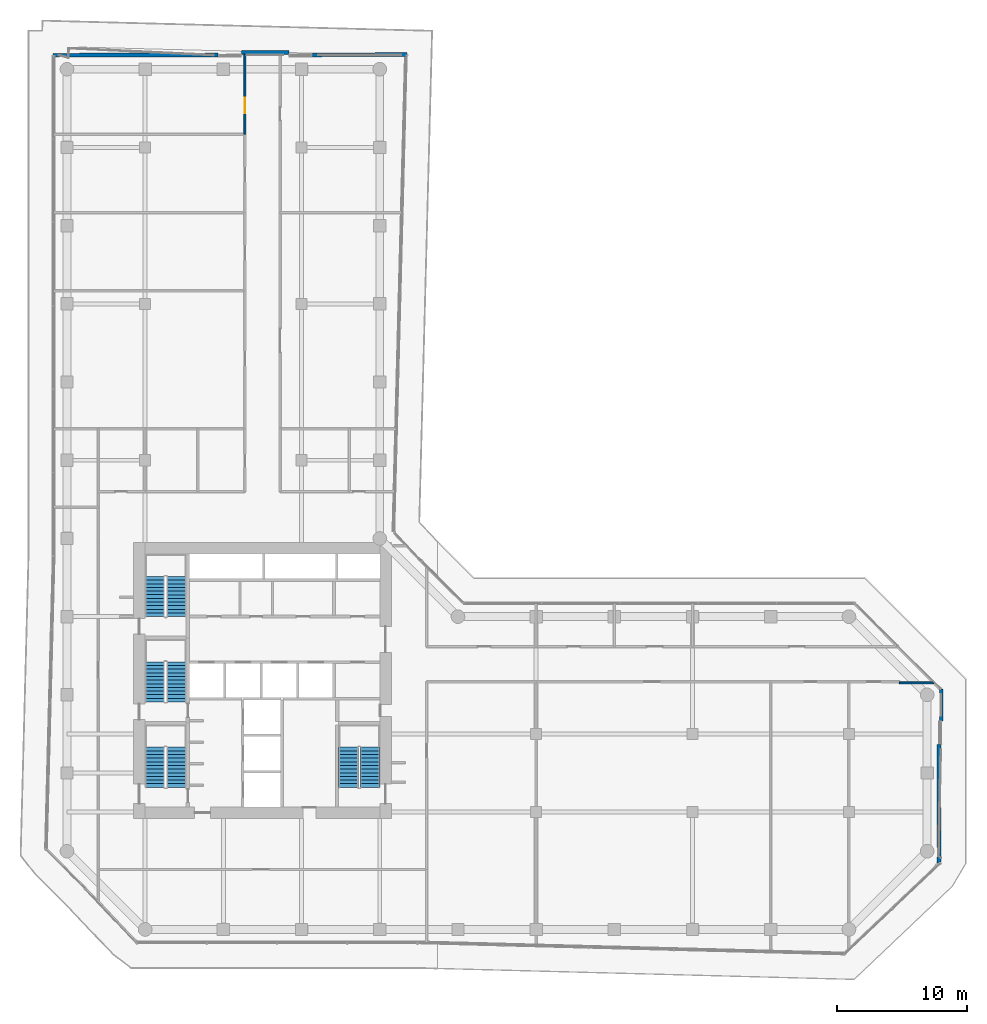
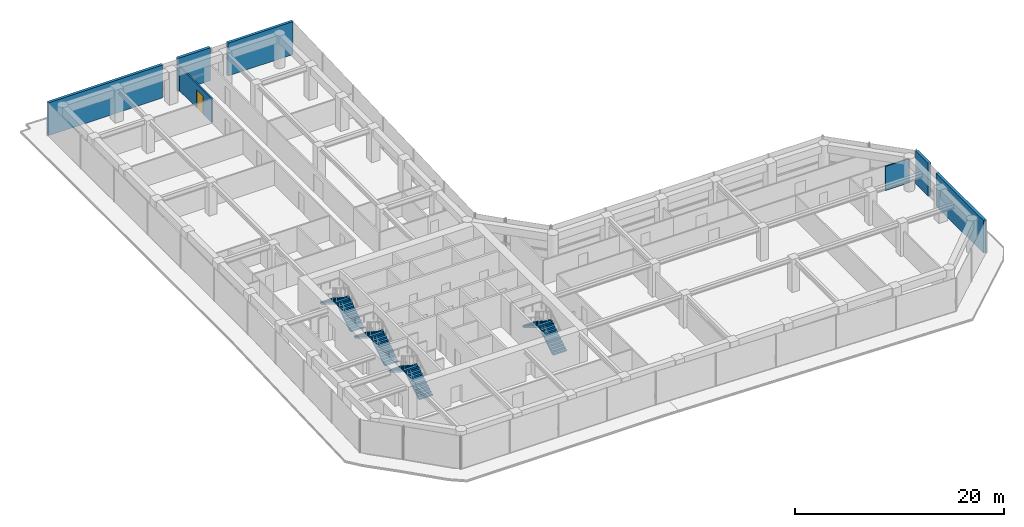
# One storey, part 26 of 28: 8 stair flights, 7 walls, 1 door, 1 opening, 4 elements without a shape of their own.
"""IFC4 building model written with IfcOpenShell, lengths in metres."""

import ifcopenshell
import ifcopenshell.guid

model = None  # the IFC model being written
_history = None  # IfcOwnerHistory: only IFC2X3 demands one
_inside = {}  # id of a spatial element -> (the spatial element, [elements in it])
_under = {}  # id of a project, library or spatial element -> (it, [spatial elements below it])
_declared = {}  # id of a project -> (the project, [libraries it declares])
_typed = {}  # id of a type object -> (the type object, [elements of that type])
_made_of = {}  # id of a material, layer set ... -> (it, [elements and type objects made of it])


def new_model(schema):
    """Start an empty IFC model of exactly this schema.

    Asked for "IFC4X3", IfcOpenShell would pick the latest addendum, in which some entities
    have other attributes; the version numbers below select the first issue.
    IFC2X3 requires an IfcOwnerHistory on every rooted entity: one is made here for all.
    """
    global model, _history
    if schema == "IFC4X3":
        model = ifcopenshell.file(schema_version=(4, 3, 0, 0))
    else:
        model = ifcopenshell.file(schema=schema)
    _inside.clear()
    _under.clear()
    _declared.clear()
    _typed.clear()
    _made_of.clear()
    _history = None
    if model.schema == "IFC2X3":
        org = make("IfcOrganization", Name="unknown")
        user = make(
            "IfcPersonAndOrganization",
            ThePerson=make("IfcPerson", FamilyName="unknown"),
            TheOrganization=org,
        )
        app = make(
            "IfcApplication",
            ApplicationDeveloper=org,
            Version="unknown",
            ApplicationFullName="unknown",
            ApplicationIdentifier="unknown",
        )
        _history = make(
            "IfcOwnerHistory",
            OwningUser=user,
            OwningApplication=app,
            ChangeAction="ADDED",
            CreationDate=0,
        )
    return model


def make(cls, **values):
    """One entity of the class cls with the attributes given. An attribute that is None is left unset."""
    return model.create_entity(
        cls, **{name: value for name, value in values.items() if value is not None}
    )


def rooted(cls, **values):
    """An entity with a GlobalId (a new one), such as an element, a storey or a relation."""
    return make(cls, GlobalId=ifcopenshell.guid.new(), OwnerHistory=_history, **values)


def si_unit(unit_type, name, prefix=None):
    """IfcSIUnit, for example si_unit("LENGTHUNIT", "METRE", prefix="MILLI")."""
    return make("IfcSIUnit", UnitType=unit_type, Prefix=prefix, Name=name)


def assignment(units):
    """IfcUnitAssignment: the units of a project."""
    return None if units is None else make("IfcUnitAssignment", Units=units)


def point(xyz):
    """IfcCartesianPoint."""
    return None if xyz is None else make("IfcCartesianPoint", Coordinates=xyz)


def direction(xyz):
    """IfcDirection."""
    return None if xyz is None else make("IfcDirection", DirectionRatios=xyz)


def frame(location, z_axis=None, x_axis=None):
    """IfcAxis2Placement3D, a coordinate frame: its origin and axes. An axis left out is left unset."""
    return make(
        "IfcAxis2Placement3D",
        Location=point(location),
        Axis=direction(z_axis),
        RefDirection=direction(x_axis),
    )


def frame_2d(location, x_axis=None):
    """IfcAxis2Placement2D, a coordinate frame in the plane: its origin and x axis."""
    return make(
        "IfcAxis2Placement2D", Location=point(location), RefDirection=direction(x_axis)
    )


def origin():
    """The frame at (0, 0, 0) with its axes left unset."""
    return frame((0.0, 0.0, 0.0))


def place(relative_to, where):
    """IfcLocalPlacement: puts the frame where relative to a parent placement (None: the world)."""
    return make(
        "IfcLocalPlacement", PlacementRelTo=relative_to, RelativePlacement=where
    )


def context(
    kind, dimensions, precision=None, world=None, true_north=None, identifier=None
):
    """IfcGeometricRepresentationContext, for example the 3D "Model" context."""
    return make(
        "IfcGeometricRepresentationContext",
        ContextIdentifier=identifier,
        ContextType=kind,
        CoordinateSpaceDimension=dimensions,
        Precision=precision,
        WorldCoordinateSystem=world,
        TrueNorth=true_north,
    )


def subcontext(parent, identifier, kind, view, scale=None):
    """IfcGeometricRepresentationSubContext, for example "Body" below "Model"."""
    return make(
        "IfcGeometricRepresentationSubContext",
        ContextIdentifier=identifier,
        ContextType=kind,
        ParentContext=parent,
        TargetScale=scale,
        TargetView=view,
    )


def project(units=None, contexts=None):
    """IfcProject with its units and contexts."""
    return rooted(
        "IfcProject",
        Name="project",
        RepresentationContexts=contexts,
        UnitsInContext=assignment(units),
    )


def spatial(cls, under=None, at=None, **own):
    """A site, building, storey or space (cls), placed at a placement, below another one or the project."""
    s = rooted(cls, ObjectPlacement=at, **own)
    if under is not None:
        _under.setdefault(under.id(), (under, []))[1].append(s)
    return s


def polyline(points):
    """IfcPolyline through the points."""
    return make("IfcPolyline", Points=[point(p) for p in points])


def profile(cls, at=None, kind="AREA", **sizes):
    """A parametric profile (cls). Its sizes go by their IFC names, for example OverallWidth=200.0."""
    return make(cls, ProfileType=kind, Position=at, **sizes)


def rectangle(**sizes):
    """IfcRectangleProfileDef."""
    return profile("IfcRectangleProfileDef", **sizes)


def outline(outer, holes=None, kind="AREA"):
    """IfcArbitraryClosedProfileDef: a profile drawn as a closed curve; with holes, ...WithVoids."""
    if holes is None:
        return make("IfcArbitraryClosedProfileDef", ProfileType=kind, OuterCurve=outer)
    return make(
        "IfcArbitraryProfileDefWithVoids",
        ProfileType=kind,
        OuterCurve=outer,
        InnerCurves=holes,
    )


def extrude(swept, where, along, depth):
    """IfcExtrudedAreaSolid: the profile swept, set in the frame where, extruded along a direction by depth."""
    return make(
        "IfcExtrudedAreaSolid",
        SweptArea=swept,
        Position=where,
        ExtrudedDirection=direction(along),
        Depth=depth,
    )


def shape(context_of_items, identifier, shape_type, items):
    """IfcShapeRepresentation: the items that make up one representation, for example the "Body"."""
    return make(
        "IfcShapeRepresentation",
        ContextOfItems=context_of_items,
        RepresentationIdentifier=identifier,
        RepresentationType=shape_type,
        Items=items,
    )


def material(Name=None, Category=None):
    """IfcMaterial."""
    return make("IfcMaterial", Name=Name, Category=Category)


def layer(
    of_material, thickness, ventilated=None, Name=None, Category=None, Priority=None
):
    """IfcMaterialLayer: one layer of a wall or slab, of a material (None: an air gap)."""
    return make(
        "IfcMaterialLayer",
        Material=of_material,
        LayerThickness=thickness,
        IsVentilated=ventilated,
        Name=Name,
        Category=Category,
        Priority=Priority,
    )


def layer_set(layers, Name=None):
    """IfcMaterialLayerSet."""
    return make("IfcMaterialLayerSet", MaterialLayers=layers, LayerSetName=Name)


def made_of(thing, what):
    """Note that an element or type object is made of a material, layer set ...; save() writes the relation."""
    if what is not None:
        _made_of.setdefault(what.id(), (what, []))[1].append(thing)
    return thing


def type_object(cls, material=None, **own):
    """A type object (cls), such as IfcWallType, which elements share."""
    return made_of(rooted(cls, **own), material)


def element(
    cls,
    number,
    at=None,
    inside=None,
    cuts=None,
    type_object=None,
    material=None,
    context=None,
    identifier="Body",
    shape_type=None,
    held_by="IfcProductDefinitionShape",
    body=None,
    shapes=None,
    **own,
):
    """One element of the class cls, such as IfcWall. Its Tag is "e" and its number.

    at: its placement. inside: the storey or other place that contains it. cuts: it is an
    opening in that element (IfcRelVoidsElement). A single representation is given by context,
    identifier, shape_type and body (its items); several are given by shapes. held_by: the class
    of the entity that holds the representations. save() writes the other relations.
    """
    e = rooted(cls, Tag="e%d" % number, ObjectPlacement=at, **own)
    if body is not None:
        shapes = [shape(context, identifier, shape_type, body)]
    if shapes is not None:
        e.Representation = make(held_by, Representations=shapes)
    if inside is not None:
        _inside.setdefault(inside.id(), (inside, []))[1].append(e)
    if cuts is not None:
        rooted(
            "IfcRelVoidsElement", RelatingBuildingElement=cuts, RelatedOpeningElement=e
        )
    if type_object is not None:
        _typed.setdefault(type_object.id(), (type_object, []))[1].append(e)
    return made_of(e, material)


def fill(opening, filler):
    """IfcRelFillsElement: the door or window that sits in an opening."""
    return rooted(
        "IfcRelFillsElement",
        RelatingOpeningElement=opening,
        RelatedBuildingElement=filler,
    )


def aggregate(whole, parts):
    """IfcRelAggregates: a whole, such as a stair, and the parts it consists of."""
    return rooted("IfcRelAggregates", RelatingObject=whole, RelatedObjects=parts)


def save(model, path):
    """Write the relations noted so far, then the file.

    IfcRelAggregates (storeys below a building ...), IfcRelContainedInSpatialStructure (elements
    in a storey), IfcRelDefinesByType, IfcRelAssociatesMaterial and IfcRelDeclares: one each for
    every whole, place, type object, material and project.
    """
    for whole, parts in _under.values():
        aggregate(whole, parts)
    for where, things in _inside.values():
        rooted(
            "IfcRelContainedInSpatialStructure",
            RelatedElements=things,
            RelatingStructure=where,
        )
    for kind, things in _typed.values():
        rooted("IfcRelDefinesByType", RelatedObjects=things, RelatingType=kind)
    for what, things in _made_of.values():
        rooted("IfcRelAssociatesMaterial", RelatedObjects=things, RelatingMaterial=what)
    for by, libraries in _declared.values():
        rooted("IfcRelDeclares", RelatingContext=by, RelatedDefinitions=libraries)
    model.write(path)


model = new_model("IFC4")

# Units and contexts
model_context = context("Model", 3, precision=1e-05, world=origin(), true_north=direction((0.0, 1.0)))
body_context = subcontext(model_context, "Body", "Model", "MODEL_VIEW")
ifc_project = project(units=[si_unit("LENGTHUNIT", "METRE"), si_unit("AREAUNIT", "SQUARE_METRE"), si_unit("VOLUMEUNIT", "CUBIC_METRE"), si_unit("PLANEANGLEUNIT", "RADIAN"), si_unit("MASSUNIT", "GRAM", prefix="KILO")], contexts=[model_context])

# Site, building, storey
site_placement = place(None, origin())
site = spatial("IfcSite", under=ifc_project, at=site_placement, CompositionType="ELEMENT")
building_placement = place(site_placement, origin())
building = spatial("IfcBuilding", under=site, at=building_placement, Name="Welwitschia Terrace Campus", CompositionType="ELEMENT")
storey_placement = place(building_placement, frame((0.0, 0.0, 45.800048828125)))
storey = spatial("IfcBuildingStorey", under=building, at=storey_placement, Name="L10", CompositionType="ELEMENT", Elevation=45.800048828125)

# Wall, opening, door
ifc_material_1 = material(Name="Gypsum board on steel studs", Category="steel")
ifc_layer_1 = layer(ifc_material_1, 0.14990234375)
ifc_layer_set_1 = layer_set([ifc_layer_1], Name="Gypsum board on steel studs")
wall_type_1 = type_object("IfcWallType", Name="Corridor partition 150 EI 30", PredefinedType="PARTITIONING", material=ifc_layer_set_1)
wall_1_placement = place(storey_placement, frame((13.64990234375, 57.0, 0.0), z_axis=(0.0, 0.0, 1.0), x_axis=(0.0, 1.0, 0.0)))
wall_1 = element("IfcWall", 1, at=wall_1_placement, inside=storey, type_object=wall_type_1, Name="Partition", PredefinedType="PARTITIONING", context=body_context, shape_type="SweptSolid", body=[
    extrude(rectangle(XDim=6.141357421875, YDim=0.14990234375, at=frame_2d((3.07080078125, 0.0))), origin(), (0.0, 0.0, 1.0), 2.829833984375),
])
opening_placement = place(wall_1_placement, frame((1.6298828125, 0.0, 0.0)))
opening = element("IfcOpeningElement", 2, at=opening_placement, cuts=wall_1, Name="Opening DI12", PredefinedType="OPENING", context=body_context, shape_type="SweptSolid", body=[
    extrude(rectangle(XDim=1.199951171875, YDim=2.10009765625, at=frame_2d((0.60009765625, 1.050048828125))), frame((0.0, 0.0849609375, 0.0), z_axis=(0.0, -1.0, 0.0), x_axis=(1.0, 0.0, 0.0)), (0.0, 0.0, 1.0), 0.169921875),
])
ifc_material_2 = material(Name="Timber veneered door", Category="wood")
door_type = type_object("IfcDoorType", Name="Interior door DI12", OperationType="NOTDEFINED", PredefinedType="DOOR", material=ifc_material_2)
door_placement = place(opening_placement, origin())
door = element("IfcDoor", 3, at=door_placement, inside=storey, type_object=door_type, Name="Door L10 235", OperationType="SINGLE_SWING_RIGHT", OverallHeight=2.10009765625, OverallWidth=1.199951171875, PredefinedType="DOOR", context=body_context, shape_type="SweptSolid", body=[
    extrude(rectangle(XDim=1.199951171875, YDim=2.10009765625, at=frame_2d((0.60009765625, 1.050048828125))), frame((0.0, 0.02490234375, 0.0), z_axis=(0.0, -1.0, 0.0), x_axis=(1.0, 0.0, 0.0)), (0.0, 0.0, 1.0), 0.050048828125),
])
fill(opening, door)

# Walls
wall_2_placement = place(storey_placement, frame((63.8701171875, 14.919921875, 0.0), z_axis=(0.0, 0.0, 1.0), x_axis=(1.0, 0.0, 0.0)))
element("IfcWall", 4, at=wall_2_placement, inside=storey, type_object=wall_type_1, Name="Partition", PredefinedType="PARTITIONING", context=body_context, shape_type="SweptSolid", body=[
    extrude(rectangle(XDim=2.621337890625, YDim=0.14990234375, at=frame_2d((1.310546875, 0.0))), origin(), (0.0, 0.0, 1.0), 2.829833984375),
])
ifc_material_3 = material(Name="Concrete C40/50", Category="concrete")
ifc_layer_2 = layer(ifc_material_3, 0.300048828125)
ifc_layer_set_2 = layer_set([ifc_layer_2], Name="Concrete C40/50")
wall_type_2 = type_object("IfcWallType", Name="Mass wall 300", PredefinedType="SOLIDWALL", material=ifc_layer_set_2)
wall_3_placement = place(storey_placement, frame((66.907958984375, 1.10546875, 0.0), z_axis=(0.0, 0.0, 1.0), x_axis=(0.0, 1.0, 0.0)))
element("IfcWall", 5, at=wall_3_placement, inside=storey, type_object=wall_type_2, Name="Mass wall L10.4.0", PredefinedType="SOLIDWALL", context=body_context, shape_type="SweptSolid", body=[
    extrude(rectangle(XDim=9.099609375, YDim=0.300048828125, at=frame_2d((4.5498046875, 0.0))), origin(), (0.0, 0.0, 1.0), 3.849853515625),
])
wall_4_placement = place(storey_placement, frame((67.078857421875, 12.0048828125, 0.0), z_axis=(0.0, 0.0, 1.0), x_axis=(0.0, 1.0, 0.0)))
element("IfcWall", 6, at=wall_4_placement, inside=storey, type_object=wall_type_2, Name="Mass wall L10.4.1", PredefinedType="SOLIDWALL", context=body_context, shape_type="SweptSolid", body=[
    extrude(rectangle(XDim=2.433349609375, YDim=0.300048828125, at=frame_2d((1.216796875, 0.0))), origin(), (0.0, 0.0, 1.0), 3.849853515625),
])
wall_5_placement = place(storey_placement, frame((26.07373046875, 63.11962890625, 0.0), z_axis=(0.0, 0.0, 1.0), x_axis=(-0.999998578418, -0.001686167636, 0.0)))
element("IfcWall", 7, at=wall_5_placement, inside=storey, type_object=wall_type_2, Name="Mass wall L10.10.0", PredefinedType="SOLIDWALL", context=body_context, shape_type="SweptSolid", body=[
    extrude(rectangle(XDim=7.239501953125, YDim=0.300048828125, at=frame_2d((3.61962890625, 0.0))), origin(), (0.0, 0.0, 1.0), 3.849853515625),
])
wall_6_placement = place(storey_placement, frame((17.03369140625, 63.297119140625, 0.0), z_axis=(0.0, 0.0, 1.0), x_axis=(-0.999998583486, -0.001683159267, 0.0)))
element("IfcWall", 8, at=wall_6_placement, inside=storey, type_object=wall_type_2, Name="Mass wall L10.10.1", PredefinedType="SOLIDWALL", context=body_context, shape_type="SweptSolid", body=[
    extrude(rectangle(XDim=3.626220703125, YDim=0.300048828125, at=frame_2d((1.81298828125, 0.0))), origin(), (0.0, 0.0, 1.0), 3.849853515625),
])
wall_7_placement = place(storey_placement, frame((11.60791015625, 63.09521484375, 0.0), z_axis=(0.0, 0.0, 1.0), x_axis=(-0.999998561418, -0.001696219611, 0.0)))
element("IfcWall", 9, at=wall_7_placement, inside=storey, type_object=wall_type_2, Name="Mass wall L10.10.2", PredefinedType="SOLIDWALL", context=body_context, shape_type="SweptSolid", body=[
    extrude(rectangle(XDim=12.666015625, YDim=0.300048828125, at=frame_2d((6.3330078125, 0.0))), origin(), (0.0, 0.0, 1.0), 3.849853515625),
])

# Stair, stair flights
ifc_material_4 = material(Name="Concrete C40/50", Category="concrete")
stair_type = type_object("IfcStairType", Name="Stair 24R 175 W1500", PredefinedType="HALF_TURN_STAIR", material=ifc_material_4)
stair_1_placement = place(storey_placement, origin())
stair_1 = element("IfcStair", 10, at=stair_1_placement, inside=storey, type_object=stair_type, Name="L10 Exit stair S1", PredefinedType="HALF_TURN_STAIR")
ifc_material_5 = material(Name="Concrete C40/50", Category="concrete")
stair_flight_type = type_object("IfcStairFlightType", Name="Stair flight 24R 175 W1500", PredefinedType="STRAIGHT", material=ifc_material_5)
stair_flight_1_placement = place(storey_placement, frame((8.39990234375, 6.89990234375, 0.0), z_axis=(0.0, 0.0, 1.0), x_axis=(0.0, 1.0, 0.0)))
stair_flight_1 = element("IfcStairFlight", 11, at=stair_flight_1_placement, type_object=stair_flight_type, Name="S1 flight 1", NumberOfRisers=12, NumberOfTreads=11, PredefinedType="STRAIGHT", RiserHeight=0.175, TreadLength=0.28, context=body_context, shape_type="SweptSolid", body=[
    extrude(outline(polyline([(0.0, 0.0), (0.0, 0.175048828125), (0.280029296875, 0.175048828125), (0.280029296875, 0.35009765625), (0.56005859375, 0.35009765625), (0.56005859375, 0.52490234375), (0.840087890625, 0.52490234375), (0.840087890625, 0.699951171875), (1.1201171875, 0.699951171875), (1.1201171875, 0.875), (1.39990234375, 0.875), (1.39990234375, 1.050048828125), (1.679931640625, 1.050048828125), (1.679931640625, 1.22509765625), (1.9599609375, 1.22509765625), (1.9599609375, 1.39990234375), (2.239990234375, 1.39990234375), (2.239990234375, 1.574951171875), (2.52001953125, 1.574951171875), (2.52001953125, 1.75), (2.800048828125, 1.75), (2.800048828125, 1.925048828125), (3.080078125, 1.925048828125), (3.080078125, 2.10009765625), (3.080078125, 1.748291015625), (0.28271484375, 0.0), (0.0, 0.0)])), frame((0.0, 0.75, 0.0), z_axis=(0.0, -1.0, 0.0), x_axis=(1.0, 0.0, 0.0)), (0.0, 0.0, 1.0), 1.5),
])
stair_flight_2_placement = place(storey_placement, frame((6.75, 9.97998046875, 2.099853515625), z_axis=(0.0, 0.0, 1.0), x_axis=(0.0, -1.0, 0.0)))
stair_flight_2 = element("IfcStairFlight", 12, at=stair_flight_2_placement, type_object=stair_flight_type, Name="S1 flight 2", NumberOfRisers=12, NumberOfTreads=11, PredefinedType="STRAIGHT", RiserHeight=0.175, TreadLength=0.28, context=body_context, shape_type="SweptSolid", body=[
    extrude(outline(polyline([(0.0, 0.0), (0.0, 0.175048828125), (0.280029296875, 0.175048828125), (0.280029296875, 0.35009765625), (0.56005859375, 0.35009765625), (0.56005859375, 0.52490234375), (0.840087890625, 0.52490234375), (0.840087890625, 0.699951171875), (1.1201171875, 0.699951171875), (1.1201171875, 0.875), (1.39990234375, 0.875), (1.39990234375, 1.050048828125), (1.679931640625, 1.050048828125), (1.679931640625, 1.22509765625), (1.9599609375, 1.22509765625), (1.9599609375, 1.39990234375), (2.239990234375, 1.39990234375), (2.239990234375, 1.574951171875), (2.52001953125, 1.574951171875), (2.52001953125, 1.75), (2.800048828125, 1.75), (2.800048828125, 1.925048828125), (3.080078125, 1.925048828125), (3.080078125, 2.10009765625), (3.080078125, 1.748291015625), (0.28271484375, 0.0), (0.0, 0.0)])), frame((0.0, 0.75, 0.0), z_axis=(0.0, -1.0, 0.0), x_axis=(1.0, 0.0, 0.0)), (0.0, 0.0, 1.0), 1.5),
])
aggregate(stair_1, [stair_flight_1, stair_flight_2])

stair_2_placement = place(storey_placement, origin())
stair_2 = element("IfcStair", 13, at=stair_2_placement, inside=storey, type_object=stair_type, Name="L10 Exit stair S3", PredefinedType="HALF_TURN_STAIR")
stair_flight_3_placement = place(storey_placement, frame((8.39990234375, 13.449951171875, 0.0), z_axis=(0.0, 0.0, 1.0), x_axis=(0.0, 1.0, 0.0)))
stair_flight_3 = element("IfcStairFlight", 14, at=stair_flight_3_placement, type_object=stair_flight_type, Name="S3 flight 1", NumberOfRisers=12, NumberOfTreads=11, PredefinedType="STRAIGHT", RiserHeight=0.175, TreadLength=0.28, context=body_context, shape_type="SweptSolid", body=[
    extrude(outline(polyline([(0.0, 0.0), (0.0, 0.175048828125), (0.280029296875, 0.175048828125), (0.280029296875, 0.35009765625), (0.56005859375, 0.35009765625), (0.56005859375, 0.52490234375), (0.840087890625, 0.52490234375), (0.840087890625, 0.699951171875), (1.1201171875, 0.699951171875), (1.1201171875, 0.875), (1.39990234375, 0.875), (1.39990234375, 1.050048828125), (1.679931640625, 1.050048828125), (1.679931640625, 1.22509765625), (1.9599609375, 1.22509765625), (1.9599609375, 1.39990234375), (2.239990234375, 1.39990234375), (2.239990234375, 1.574951171875), (2.52001953125, 1.574951171875), (2.52001953125, 1.75), (2.800048828125, 1.75), (2.800048828125, 1.925048828125), (3.080078125, 1.925048828125), (3.080078125, 2.10009765625), (3.080078125, 1.748291015625), (0.28271484375, 0.0), (0.0, 0.0)])), frame((0.0, 0.75, 0.0), z_axis=(0.0, -1.0, 0.0), x_axis=(1.0, 0.0, 0.0)), (0.0, 0.0, 1.0), 1.5),
])
stair_flight_4_placement = place(storey_placement, frame((6.75, 16.530029296875, 2.099853515625), z_axis=(0.0, 0.0, 1.0), x_axis=(0.0, -1.0, 0.0)))
stair_flight_4 = element("IfcStairFlight", 15, at=stair_flight_4_placement, type_object=stair_flight_type, Name="S3 flight 2", NumberOfRisers=12, NumberOfTreads=11, PredefinedType="STRAIGHT", RiserHeight=0.175, TreadLength=0.28, context=body_context, shape_type="SweptSolid", body=[
    extrude(outline(polyline([(0.0, 0.0), (0.0, 0.175048828125), (0.280029296875, 0.175048828125), (0.280029296875, 0.35009765625), (0.56005859375, 0.35009765625), (0.56005859375, 0.52490234375), (0.840087890625, 0.52490234375), (0.840087890625, 0.699951171875), (1.1201171875, 0.699951171875), (1.1201171875, 0.875), (1.39990234375, 0.875), (1.39990234375, 1.050048828125), (1.679931640625, 1.050048828125), (1.679931640625, 1.22509765625), (1.9599609375, 1.22509765625), (1.9599609375, 1.39990234375), (2.239990234375, 1.39990234375), (2.239990234375, 1.574951171875), (2.52001953125, 1.574951171875), (2.52001953125, 1.75), (2.800048828125, 1.75), (2.800048828125, 1.925048828125), (3.080078125, 1.925048828125), (3.080078125, 2.10009765625), (3.080078125, 1.748291015625), (0.28271484375, 0.0), (0.0, 0.0)])), frame((0.0, 0.75, 0.0), z_axis=(0.0, -1.0, 0.0), x_axis=(1.0, 0.0, 0.0)), (0.0, 0.0, 1.0), 1.5),
])
aggregate(stair_2, [stair_flight_3, stair_flight_4])

stair_3_placement = place(storey_placement, origin())
stair_3 = element("IfcStair", 16, at=stair_3_placement, inside=storey, type_object=stair_type, Name="L10 Exit stair S4", PredefinedType="HALF_TURN_STAIR")
stair_flight_5_placement = place(storey_placement, frame((8.39990234375, 20.0, 0.0), z_axis=(0.0, 0.0, 1.0), x_axis=(0.0, 1.0, 0.0)))
stair_flight_5 = element("IfcStairFlight", 17, at=stair_flight_5_placement, type_object=stair_flight_type, Name="S4 flight 1", NumberOfRisers=12, NumberOfTreads=11, PredefinedType="STRAIGHT", RiserHeight=0.175, TreadLength=0.28, context=body_context, shape_type="SweptSolid", body=[
    extrude(outline(polyline([(0.0, 0.0), (0.0, 0.175048828125), (0.280029296875, 0.175048828125), (0.280029296875, 0.35009765625), (0.56005859375, 0.35009765625), (0.56005859375, 0.52490234375), (0.840087890625, 0.52490234375), (0.840087890625, 0.699951171875), (1.1201171875, 0.699951171875), (1.1201171875, 0.875), (1.39990234375, 0.875), (1.39990234375, 1.050048828125), (1.679931640625, 1.050048828125), (1.679931640625, 1.22509765625), (1.9599609375, 1.22509765625), (1.9599609375, 1.39990234375), (2.239990234375, 1.39990234375), (2.239990234375, 1.574951171875), (2.52001953125, 1.574951171875), (2.52001953125, 1.75), (2.800048828125, 1.75), (2.800048828125, 1.925048828125), (3.080078125, 1.925048828125), (3.080078125, 2.10009765625), (3.080078125, 1.748291015625), (0.28271484375, 0.0), (0.0, 0.0)])), frame((0.0, 0.75, 0.0), z_axis=(0.0, -1.0, 0.0), x_axis=(1.0, 0.0, 0.0)), (0.0, 0.0, 1.0), 1.5),
])
stair_flight_6_placement = place(storey_placement, frame((6.75, 23.080078125, 2.099853515625), z_axis=(0.0, 0.0, 1.0), x_axis=(0.0, -1.0, 0.0)))
stair_flight_6 = element("IfcStairFlight", 18, at=stair_flight_6_placement, type_object=stair_flight_type, Name="S4 flight 2", NumberOfRisers=12, NumberOfTreads=11, PredefinedType="STRAIGHT", RiserHeight=0.175, TreadLength=0.28, context=body_context, shape_type="SweptSolid", body=[
    extrude(outline(polyline([(0.0, 0.0), (0.0, 0.175048828125), (0.280029296875, 0.175048828125), (0.280029296875, 0.35009765625), (0.56005859375, 0.35009765625), (0.56005859375, 0.52490234375), (0.840087890625, 0.52490234375), (0.840087890625, 0.699951171875), (1.1201171875, 0.699951171875), (1.1201171875, 0.875), (1.39990234375, 0.875), (1.39990234375, 1.050048828125), (1.679931640625, 1.050048828125), (1.679931640625, 1.22509765625), (1.9599609375, 1.22509765625), (1.9599609375, 1.39990234375), (2.239990234375, 1.39990234375), (2.239990234375, 1.574951171875), (2.52001953125, 1.574951171875), (2.52001953125, 1.75), (2.800048828125, 1.75), (2.800048828125, 1.925048828125), (3.080078125, 1.925048828125), (3.080078125, 2.10009765625), (3.080078125, 1.748291015625), (0.28271484375, 0.0), (0.0, 0.0)])), frame((0.0, 0.75, 0.0), z_axis=(0.0, -1.0, 0.0), x_axis=(1.0, 0.0, 0.0)), (0.0, 0.0, 1.0), 1.5),
])
aggregate(stair_3, [stair_flight_5, stair_flight_6])

stair_4_placement = place(storey_placement, origin())
stair_4 = element("IfcStair", 19, at=stair_4_placement, inside=storey, type_object=stair_type, Name="L10 Exit stair S2", PredefinedType="HALF_TURN_STAIR")
stair_flight_7_placement = place(storey_placement, frame((23.25, 6.89990234375, 0.0), z_axis=(0.0, 0.0, 1.0), x_axis=(0.0, 1.0, 0.0)))
stair_flight_7 = element("IfcStairFlight", 20, at=stair_flight_7_placement, type_object=stair_flight_type, Name="S2 flight 1", NumberOfRisers=12, NumberOfTreads=11, PredefinedType="STRAIGHT", RiserHeight=0.175, TreadLength=0.28, context=body_context, shape_type="SweptSolid", body=[
    extrude(outline(polyline([(0.0, 0.0), (0.0, 0.175048828125), (0.280029296875, 0.175048828125), (0.280029296875, 0.35009765625), (0.56005859375, 0.35009765625), (0.56005859375, 0.52490234375), (0.840087890625, 0.52490234375), (0.840087890625, 0.699951171875), (1.1201171875, 0.699951171875), (1.1201171875, 0.875), (1.39990234375, 0.875), (1.39990234375, 1.050048828125), (1.679931640625, 1.050048828125), (1.679931640625, 1.22509765625), (1.9599609375, 1.22509765625), (1.9599609375, 1.39990234375), (2.239990234375, 1.39990234375), (2.239990234375, 1.574951171875), (2.52001953125, 1.574951171875), (2.52001953125, 1.75), (2.800048828125, 1.75), (2.800048828125, 1.925048828125), (3.080078125, 1.925048828125), (3.080078125, 2.10009765625), (3.080078125, 1.748291015625), (0.28271484375, 0.0), (0.0, 0.0)])), frame((0.0, 0.75, 0.0), z_axis=(0.0, -1.0, 0.0), x_axis=(1.0, 0.0, 0.0)), (0.0, 0.0, 1.0), 1.5),
])
stair_flight_8_placement = place(storey_placement, frame((21.60009765625, 9.97998046875, 2.099853515625), z_axis=(0.0, 0.0, 1.0), x_axis=(0.0, -1.0, 0.0)))
stair_flight_8 = element("IfcStairFlight", 21, at=stair_flight_8_placement, type_object=stair_flight_type, Name="S2 flight 2", NumberOfRisers=12, NumberOfTreads=11, PredefinedType="STRAIGHT", RiserHeight=0.175, TreadLength=0.28, context=body_context, shape_type="SweptSolid", body=[
    extrude(outline(polyline([(0.0, 0.0), (0.0, 0.175048828125), (0.280029296875, 0.175048828125), (0.280029296875, 0.35009765625), (0.56005859375, 0.35009765625), (0.56005859375, 0.52490234375), (0.840087890625, 0.52490234375), (0.840087890625, 0.699951171875), (1.1201171875, 0.699951171875), (1.1201171875, 0.875), (1.39990234375, 0.875), (1.39990234375, 1.050048828125), (1.679931640625, 1.050048828125), (1.679931640625, 1.22509765625), (1.9599609375, 1.22509765625), (1.9599609375, 1.39990234375), (2.239990234375, 1.39990234375), (2.239990234375, 1.574951171875), (2.52001953125, 1.574951171875), (2.52001953125, 1.75), (2.800048828125, 1.75), (2.800048828125, 1.925048828125), (3.080078125, 1.925048828125), (3.080078125, 2.10009765625), (3.080078125, 1.748291015625), (0.28271484375, 0.0), (0.0, 0.0)])), frame((0.0, 0.75, 0.0), z_axis=(0.0, -1.0, 0.0), x_axis=(1.0, 0.0, 0.0)), (0.0, 0.0, 1.0), 1.5),
])
aggregate(stair_4, [stair_flight_7, stair_flight_8])

save(model, "model.ifc")
